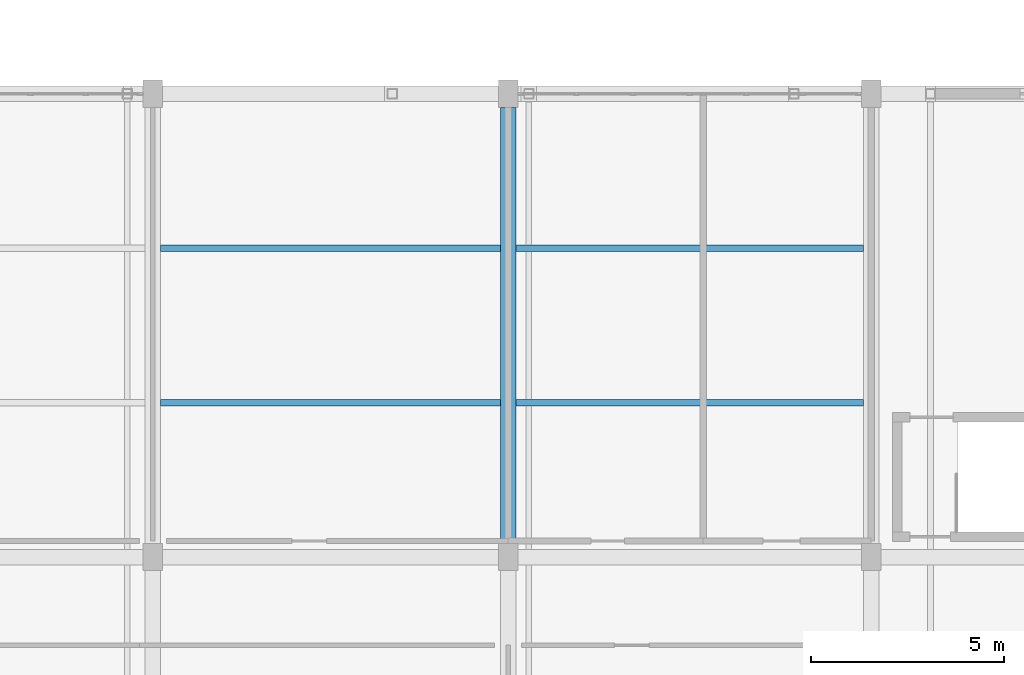
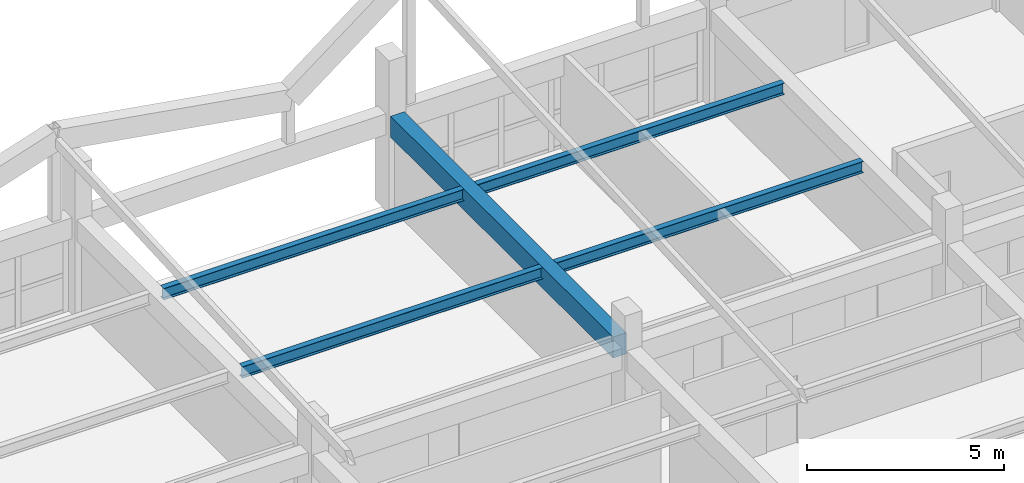
# One storey, part 24 of 127: 5 beams.
"""IFC4 building model written with IfcOpenShell, lengths in metres."""

from ifc_helpers import new_model, si_unit, direction, frame, origin, origin_2d, place, context, subcontext, project, spatial, rectangle, i_section, extrude, material, material_profile, profile_set, type_object, element, save


model = new_model("IFC4")

# Units and contexts
model_context = context("Model", 3, precision=1e-05, world=origin(), true_north=direction((0.0, 1.0)))
body_context = subcontext(model_context, "Body", "Model", "MODEL_VIEW")
ifc_project = project(units=[si_unit("LENGTHUNIT", "METRE"), si_unit("AREAUNIT", "SQUARE_METRE"), si_unit("VOLUMEUNIT", "CUBIC_METRE"), si_unit("PLANEANGLEUNIT", "RADIAN"), si_unit("MASSUNIT", "GRAM", prefix="KILO")], contexts=[model_context])

# Site, building, storey
site_placement = place(None, origin())
site = spatial("IfcSite", under=ifc_project, at=site_placement, CompositionType="ELEMENT")
building_placement = place(site_placement, origin())
building = spatial("IfcBuilding", under=site, at=building_placement, Name="Kestramere Prow Commons", CompositionType="ELEMENT")
storey_placement = place(building_placement, frame((0.0, 0.0, 8.39990234375)))
storey = spatial("IfcBuildingStorey", under=building, at=storey_placement, Name="L02", CompositionType="ELEMENT", Elevation=8.39990234375)

# Beams
ifc_material_1 = material(Name="Precast concrete C40/50", Category="concrete")
ifc_material_profile_1 = material_profile(ifc_material_1, rectangle(XDim=0.39990234375, YDim=0.64990234375, at=origin_2d()), Name="PC-BM 400x650")
ifc_profile_set_1 = profile_set([ifc_material_profile_1], Name="Precast concrete C40/50")
beam_type_1 = type_object("IfcBeamType", Name="BM-MK-01 PC-BM 400x650", PredefinedType="BEAM", material=ifc_profile_set_1)
beam_placement = place(storey_placement, frame((94.199951171875, 12.35009765625, 2.675048828125), z_axis=(0.0, 1.0, 0.0), x_axis=(-1.0, 0.0, 0.0)))
element("IfcBeam", 1, at=beam_placement, inside=storey, type_object=beam_type_1, Name="Market Spine L02 Beam Y 5-2", PredefinedType="BEAM", context=body_context, shape_type="SweptSolid", body=[
    extrude(rectangle(XDim=0.39990234375, YDim=0.64990234375, at=origin_2d()), origin(), (0.0, 0.0, 1.0), 11.2998046875),
])
ifc_material_2 = material(Name="Steel S355JR", Category="steel")
ifc_material_profile_2 = material_profile(ifc_material_2, i_section(OverallWidth=0.17138671875, OverallDepth=0.35498046875, WebThickness=0.00732421875, FlangeThickness=0.011474609375, FilletRadius=0.01025390625, at=origin_2d()), Name="UB 356x171x51")
ifc_profile_set_2 = profile_set([ifc_material_profile_2], Name="Steel S355JR")
beam_type_2 = type_object("IfcBeamType", Name="JST-MK-01 UB 356x171x51", PredefinedType="JOIST", material=ifc_profile_set_2)
for number, where, z_axis, x_axis, name in (
    (2, (85.199951171875, 16.0, 2.822509765625), (1.0, 0.0, 0.0), (0.0, 1.0, 0.0), "Market Spine L02 Secondary Joist 4-16"),
    (3, (85.199951171875, 20.0, 2.822509765625), (1.0, 0.0, 0.0), (0.0, 1.0, 0.0), "Market Spine L02 Secondary Joist 4-20"),
):
    element("IfcBeam", number, at=place(storey_placement, frame(where, z_axis=z_axis, x_axis=x_axis)), inside=storey, type_object=beam_type_2, Name=name, PredefinedType="JOIST", context=body_context, shape_type="SweptSolid", body=[
        extrude(i_section(OverallWidth=0.17138671875, OverallDepth=0.35498046875, WebThickness=0.00732421875, FlangeThickness=0.011474609375, FilletRadius=0.01025390625, at=origin_2d()), origin(), (0.0, 0.0, 1.0), 8.800048828125),
    ])
for number, where, z_axis, x_axis, name in (
    (4, (94.39990234375, 16.0, 2.822509765625), (1.0, 0.0, 0.0), (0.0, 1.0, 0.0), "Market Spine L02 Secondary Joist 5-16"),
    (5, (94.39990234375, 20.0, 2.822509765625), (1.0, 0.0, 0.0), (0.0, 1.0, 0.0), "Market Spine L02 Secondary Joist 5-20"),
):
    element("IfcBeam", number, at=place(storey_placement, frame(where, z_axis=z_axis, x_axis=x_axis)), inside=storey, type_object=beam_type_2, Name=name, PredefinedType="JOIST", context=body_context, shape_type="SweptSolid", body=[
        extrude(i_section(OverallWidth=0.17138671875, OverallDepth=0.35498046875, WebThickness=0.00732421875, FlangeThickness=0.011474609375, FilletRadius=0.01025390625, at=origin_2d()), origin(), (0.0, 0.0, 1.0), 9.0),
    ])

save(model, "model.ifc")
